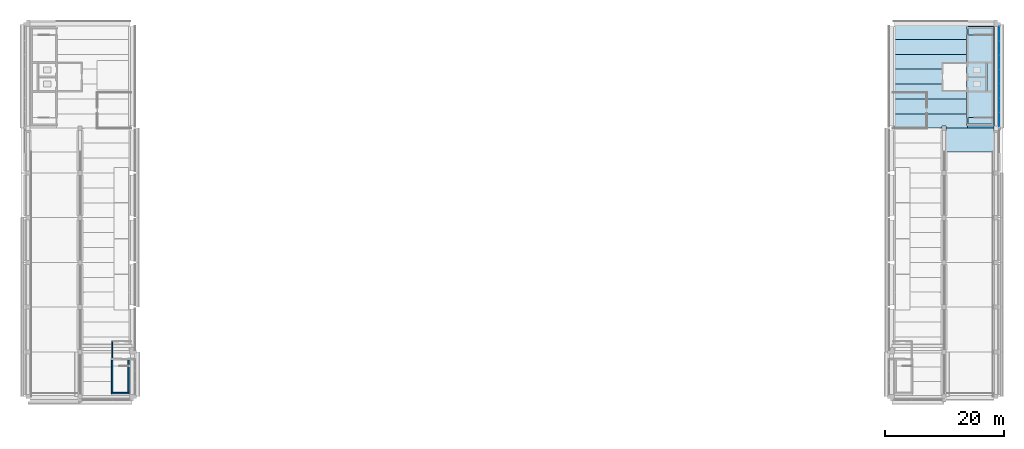
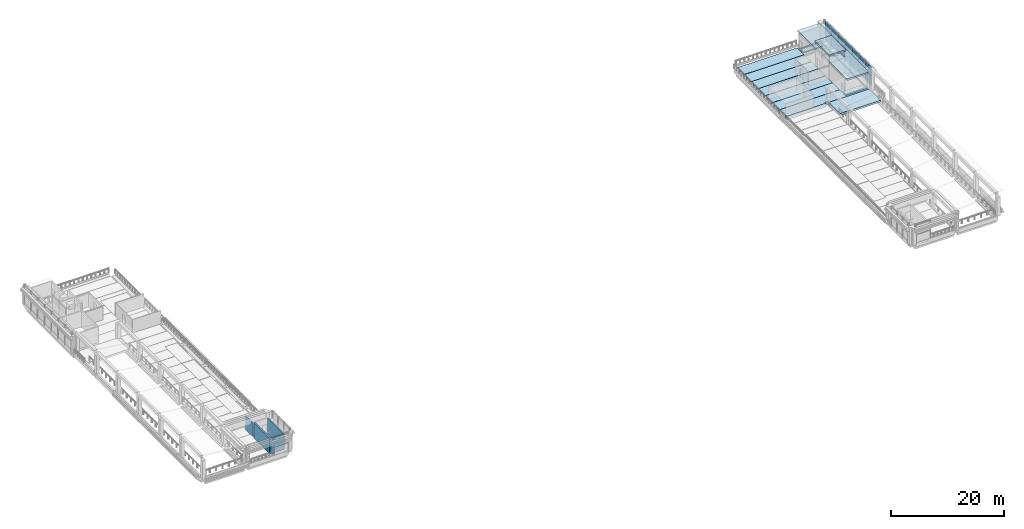
# One storey, part 8 of 17: 14 plates, 13 slabs, 4 walls, 1 element without a shape of its own.
"""IFC4 building model written with IfcOpenShell, lengths in metres."""

from ifc_helpers import new_model, si_unit, direction, frame, frame_2d, origin, origin_2d, place, context, subcontext, project, spatial, polyline, rectangle, outline, extrude, material, layer, layer_set, material_profile, profile_set, type_object, element, aggregate, save


model = new_model("IFC4")

# Units and contexts
model_context = context("Model", 3, precision=1e-05, world=origin(), true_north=direction((0.0, 1.0)))
body_context = subcontext(model_context, "Body", "Model", "MODEL_VIEW")
ifc_project = project(units=[si_unit("LENGTHUNIT", "METRE"), si_unit("AREAUNIT", "SQUARE_METRE"), si_unit("VOLUMEUNIT", "CUBIC_METRE"), si_unit("PLANEANGLEUNIT", "RADIAN"), si_unit("MASSUNIT", "GRAM", prefix="KILO")], contexts=[model_context])

# Site, building, storey
site_placement = place(None, origin())
site = spatial("IfcSite", under=ifc_project, at=site_placement, CompositionType="ELEMENT")
building_placement = place(site_placement, origin())
building = spatial("IfcBuilding", under=site, at=building_placement, Name="Cour d'Honneur Mobility Palace", CompositionType="ELEMENT")
storey_placement = place(building_placement, frame((0.0, 0.0, 34.10009765625)))
storey = spatial("IfcBuildingStorey", under=building, at=storey_placement, Name="L09", CompositionType="ELEMENT", Elevation=34.10009765625)

# Slabs
ifc_material_1 = material(Name="Concrete C50", Category="concrete")
ifc_layer_1 = layer(ifc_material_1, 0.25)
ifc_layer_set_1 = layer_set([ifc_layer_1], Name="Concrete C50")
slab_type_1 = type_object("IfcSlabType", Name="Cast-in-place Slab 250", PredefinedType="FLOOR", material=ifc_layer_set_1)
slab_1_placement = place(storey_placement, frame((0.0, 0.0, -0.25)))
element("IfcSlab", 1, at=slab_1_placement, inside=storey, type_object=slab_type_1, Name="Cast-in-place slab S1 L09 core", PredefinedType="FLOOR", context=body_context, shape_type="SweptSolid", body=[
    extrude(outline(polyline([(161.949951171875, 62.050048828125), (162.050048828125, 62.050048828125), (162.050048828125, 45.35009765625), (161.949951171875, 45.35009765625), (161.949951171875, 45.0), (157.5, 45.0), (157.5, 45.449951171875), (161.85009765625, 45.449951171875), (161.85009765625, 61.949951171875), (157.5, 61.949951171875), (157.5, 62.125), (161.949951171875, 62.125), (161.949951171875, 62.050048828125)])), origin(), (0.0, 0.0, 1.0), 0.25),
])
slab_2_placement = place(storey_placement, frame((0.0, 0.0, -0.25)))
element("IfcSlab", 2, at=slab_2_placement, inside=storey, type_object=slab_type_1, Name="Cast-in-place slab S1 L09 core", PredefinedType="FLOOR", context=body_context, shape_type="SweptSolid", body=[
    extrude(outline(polyline([(157.625, 46.77490234375), (161.60009765625, 46.77490234375), (161.60009765625, 45.699951171875), (157.625, 45.699951171875), (157.625, 46.77490234375)])), origin(), (0.0, 0.0, 1.0), 0.25),
])
slab_3_placement = place(storey_placement, frame((0.0, 0.0, -0.25)))
element("IfcSlab", 3, at=slab_3_placement, inside=storey, type_object=slab_type_1, Name="Cast-in-place slab S1 L09 core", PredefinedType="FLOOR", context=body_context, shape_type="SweptSolid", body=[
    extrude(outline(polyline([(161.60009765625, 60.625), (157.625, 60.625), (157.625, 61.699951171875), (161.60009765625, 61.699951171875), (161.60009765625, 60.625)])), origin(), (0.0, 0.0, 1.0), 0.25),
])
ifc_material_2 = material(Name="Concrete C50", Category="concrete")
ifc_layer_2 = layer(ifc_material_2, 0.39990234375)
ifc_layer_set_2 = layer_set([ifc_layer_2], Name="Concrete C50")
slab_type_2 = type_object("IfcSlabType", Name="Cast-in-place Slab 400", PredefinedType="LANDING", material=ifc_layer_set_2)
slab_4_placement = place(storey_placement, frame((0.0, 0.0, -0.400146484375)))
element("IfcSlab", 4, at=slab_4_placement, inside=storey, type_object=slab_type_2, Name="Cast-in-place slab S3 L09 landing", PredefinedType="LANDING", context=body_context, shape_type="SweptSolid", body=[
    extrude(outline(polyline([(162.10009765625, 44.64990234375), (162.10009765625, 41.0), (153.800048828125, 41.0), (153.800048828125, 44.64990234375), (153.949951171875, 44.64990234375), (153.949951171875, 45.0), (161.949951171875, 45.0), (161.949951171875, 44.64990234375), (162.10009765625, 44.64990234375)])), origin(), (0.0, 0.0, 1.0), 0.400146484375),
])
ifc_material_3 = material(Name="Concrete C50", Category="concrete")
ifc_layer_3 = layer(ifc_material_3, 0.800048828125)
ifc_layer_set_3 = layer_set([ifc_layer_3], Name="Concrete C50")
slab_type_3 = type_object("IfcSlabType", Name="Cast-in-place Slab 800", PredefinedType="FLOOR", material=ifc_layer_set_3)
slab_5_placement = place(storey_placement, frame((0.0, 0.0, -0.800048828125)))
element("IfcSlab", 5, at=slab_5_placement, inside=storey, type_object=slab_type_3, Name="Cast-in-place slab S2 L09 closure", PredefinedType="FLOOR", context=body_context, shape_type="SweptSolid", body=[
    extrude(outline(polyline([(153.949951171875, 45.35009765625), (153.25, 45.35009765625), (153.25, 45.0), (145.25, 45.0), (145.25, 45.35009765625), (145.14990234375, 45.35009765625), (145.14990234375, 47.39990234375), (157.375, 47.39990234375), (157.375, 45.449951171875), (157.5, 45.449951171875), (157.5, 45.0), (153.949951171875, 45.0), (153.949951171875, 45.35009765625)])), origin(), (0.0, 0.0, 1.0), 0.800048828125),
])

# Curtain wall, plates
ifc_material_4 = material(Name="Aluminium and glass", Category="aluminium")
ifc_layer_4 = layer(ifc_material_4, 0.10009765625)
ifc_layer_set_4 = layer_set([ifc_layer_4], Name="Aluminium and glass")
curtain_wall_type = type_object("IfcCurtainWallType", Name="Curtain wall run", PredefinedType="NOTDEFINED", material=ifc_layer_set_4)
curtain_wall_placement = place(storey_placement, origin())
curtain_wall = element("IfcCurtainWall", 6, at=curtain_wall_placement, inside=storey, type_object=curtain_wall_type, Name="Curtain wall CW-99", PredefinedType="NOTDEFINED")
ifc_material_5 = material(Name="Double glazing", Category="glass")
ifc_layer_5 = layer(ifc_material_5, 0.028076171875)
ifc_layer_set_5 = layer_set([ifc_layer_5], Name="Double glazing")
plate_type = type_object("IfcPlateType", Name="Curtain wall panel", PredefinedType="CURTAIN_PANEL", material=ifc_layer_set_5)
plate_1_placement = place(storey_placement, frame((162.85009765625, 46.514892578125, 0.06005859375), z_axis=(0.0, 0.0, 1.0), x_axis=(0.0, 1.0, 0.0)))
plate_1 = element("IfcPlate", 7, at=plate_1_placement, type_object=plate_type, Name="CW-99 panel 1.1", PredefinedType="CURTAIN_PANEL", context=body_context, shape_type="SweptSolid", body=[
    extrude(rectangle(XDim=2.31005859375, YDim=0.028076171875, at=origin_2d()), origin(), (0.0, 0.0, 1.0), 2.010009765625),
])
plate_2_placement = place(storey_placement, frame((162.85009765625, 46.514892578125, 2.1298828125), z_axis=(0.0, 0.0, 1.0), x_axis=(0.0, 1.0, 0.0)))
plate_2 = element("IfcPlate", 8, at=plate_2_placement, type_object=plate_type, Name="CW-99 panel 1.2", PredefinedType="CURTAIN_PANEL", context=body_context, shape_type="SweptSolid", body=[
    extrude(rectangle(XDim=2.31005859375, YDim=0.028076171875, at=origin_2d()), origin(), (0.0, 0.0, 1.0), 2.010009765625),
])
plate_3_placement = place(storey_placement, frame((162.85009765625, 48.89990234375, 0.06005859375), z_axis=(0.0, 0.0, 1.0), x_axis=(0.0, 1.0, 0.0)))
plate_3 = element("IfcPlate", 9, at=plate_3_placement, type_object=plate_type, Name="CW-99 panel 2.1", PredefinedType="CURTAIN_PANEL", context=body_context, shape_type="SweptSolid", body=[
    extrude(rectangle(XDim=2.340087890625, YDim=0.028076171875, at=origin_2d()), origin(), (0.0, 0.0, 1.0), 2.010009765625),
])
plate_4_placement = place(storey_placement, frame((162.85009765625, 48.89990234375, 2.1298828125), z_axis=(0.0, 0.0, 1.0), x_axis=(0.0, 1.0, 0.0)))
plate_4 = element("IfcPlate", 10, at=plate_4_placement, type_object=plate_type, Name="CW-99 panel 2.2", PredefinedType="CURTAIN_PANEL", context=body_context, shape_type="SweptSolid", body=[
    extrude(rectangle(XDim=2.340087890625, YDim=0.028076171875, at=origin_2d()), origin(), (0.0, 0.0, 1.0), 2.010009765625),
])
plate_5_placement = place(storey_placement, frame((162.85009765625, 51.300048828125, 0.06005859375), z_axis=(0.0, 0.0, 1.0), x_axis=(0.0, 1.0, 0.0)))
plate_5 = element("IfcPlate", 11, at=plate_5_placement, type_object=plate_type, Name="CW-99 panel 3.1", PredefinedType="CURTAIN_PANEL", context=body_context, shape_type="SweptSolid", body=[
    extrude(rectangle(XDim=2.340087890625, YDim=0.028076171875, at=origin_2d()), origin(), (0.0, 0.0, 1.0), 2.010009765625),
])
plate_6_placement = place(storey_placement, frame((162.85009765625, 51.300048828125, 2.1298828125), z_axis=(0.0, 0.0, 1.0), x_axis=(0.0, 1.0, 0.0)))
plate_6 = element("IfcPlate", 12, at=plate_6_placement, type_object=plate_type, Name="CW-99 panel 3.2", PredefinedType="CURTAIN_PANEL", context=body_context, shape_type="SweptSolid", body=[
    extrude(rectangle(XDim=2.340087890625, YDim=0.028076171875, at=origin_2d()), origin(), (0.0, 0.0, 1.0), 2.010009765625),
])
plate_7_placement = place(storey_placement, frame((162.85009765625, 53.699951171875, 0.06005859375), z_axis=(0.0, 0.0, 1.0), x_axis=(0.0, 1.0, 0.0)))
plate_7 = element("IfcPlate", 13, at=plate_7_placement, type_object=plate_type, Name="CW-99 panel 4.1", PredefinedType="CURTAIN_PANEL", context=body_context, shape_type="SweptSolid", body=[
    extrude(rectangle(XDim=2.340087890625, YDim=0.028076171875, at=origin_2d()), origin(), (0.0, 0.0, 1.0), 2.010009765625),
])
plate_8_placement = place(storey_placement, frame((162.85009765625, 53.699951171875, 2.1298828125), z_axis=(0.0, 0.0, 1.0), x_axis=(0.0, 1.0, 0.0)))
plate_8 = element("IfcPlate", 14, at=plate_8_placement, type_object=plate_type, Name="CW-99 panel 4.2", PredefinedType="CURTAIN_PANEL", context=body_context, shape_type="SweptSolid", body=[
    extrude(rectangle(XDim=2.340087890625, YDim=0.028076171875, at=origin_2d()), origin(), (0.0, 0.0, 1.0), 2.010009765625),
])
plate_9_placement = place(storey_placement, frame((162.85009765625, 56.10009765625, 0.06005859375), z_axis=(0.0, 0.0, 1.0), x_axis=(0.0, 1.0, 0.0)))
plate_9 = element("IfcPlate", 15, at=plate_9_placement, type_object=plate_type, Name="CW-99 panel 5.1", PredefinedType="CURTAIN_PANEL", context=body_context, shape_type="SweptSolid", body=[
    extrude(rectangle(XDim=2.340087890625, YDim=0.028076171875, at=origin_2d()), origin(), (0.0, 0.0, 1.0), 2.010009765625),
])
plate_10_placement = place(storey_placement, frame((162.85009765625, 56.10009765625, 2.1298828125), z_axis=(0.0, 0.0, 1.0), x_axis=(0.0, 1.0, 0.0)))
plate_10 = element("IfcPlate", 16, at=plate_10_placement, type_object=plate_type, Name="CW-99 panel 5.2", PredefinedType="CURTAIN_PANEL", context=body_context, shape_type="SweptSolid", body=[
    extrude(rectangle(XDim=2.340087890625, YDim=0.028076171875, at=origin_2d()), origin(), (0.0, 0.0, 1.0), 2.010009765625),
])
plate_11_placement = place(storey_placement, frame((162.85009765625, 58.5, 0.06005859375), z_axis=(0.0, 0.0, 1.0), x_axis=(0.0, 1.0, 0.0)))
plate_11 = element("IfcPlate", 17, at=plate_11_placement, type_object=plate_type, Name="CW-99 panel 6.1", PredefinedType="CURTAIN_PANEL", context=body_context, shape_type="SweptSolid", body=[
    extrude(rectangle(XDim=2.340087890625, YDim=0.028076171875, at=origin_2d()), origin(), (0.0, 0.0, 1.0), 2.010009765625),
])
plate_12_placement = place(storey_placement, frame((162.85009765625, 58.5, 2.1298828125), z_axis=(0.0, 0.0, 1.0), x_axis=(0.0, 1.0, 0.0)))
plate_12 = element("IfcPlate", 18, at=plate_12_placement, type_object=plate_type, Name="CW-99 panel 6.2", PredefinedType="CURTAIN_PANEL", context=body_context, shape_type="SweptSolid", body=[
    extrude(rectangle(XDim=2.340087890625, YDim=0.028076171875, at=origin_2d()), origin(), (0.0, 0.0, 1.0), 2.010009765625),
])
plate_13_placement = place(storey_placement, frame((162.85009765625, 60.885009765625, 0.06005859375), z_axis=(0.0, 0.0, 1.0), x_axis=(0.0, 1.0, 0.0)))
plate_13 = element("IfcPlate", 19, at=plate_13_placement, type_object=plate_type, Name="CW-99 panel 7.1", PredefinedType="CURTAIN_PANEL", context=body_context, shape_type="SweptSolid", body=[
    extrude(rectangle(XDim=2.31005859375, YDim=0.028076171875, at=origin_2d()), origin(), (0.0, 0.0, 1.0), 2.010009765625),
])
plate_14_placement = place(storey_placement, frame((162.85009765625, 60.885009765625, 2.1298828125), z_axis=(0.0, 0.0, 1.0), x_axis=(0.0, 1.0, 0.0)))
plate_14 = element("IfcPlate", 20, at=plate_14_placement, type_object=plate_type, Name="CW-99 panel 7.2", PredefinedType="CURTAIN_PANEL", context=body_context, shape_type="SweptSolid", body=[
    extrude(rectangle(XDim=2.31005859375, YDim=0.028076171875, at=origin_2d()), origin(), (0.0, 0.0, 1.0), 2.010009765625),
])
aggregate(curtain_wall, [plate_1, plate_2, plate_3, plate_4, plate_5, plate_6, plate_7, plate_8, plate_9, plate_10, plate_11, plate_12, plate_13, plate_14])

# Slabs
ifc_material_6 = material(Name="Concrete C45", Category="concrete")
ifc_material_profile = material_profile(ifc_material_6, outline(polyline([(-1.2451171875, 0.0), (1.2451171875, 0.0), (1.2451171875, -0.10009765625), (0.679931640625, -0.10009765625), (0.64990234375, -0.64990234375), (0.550048828125, -0.64990234375), (0.52001953125, -0.10009765625), (-0.52001953125, -0.10009765625), (-0.550048828125, -0.64990234375), (-0.64990234375, -0.64990234375), (-0.679931640625, -0.10009765625), (-1.2451171875, -0.10009765625), (-1.2451171875, 0.0)])), Name="DT 2490x650")
ifc_profile_set = profile_set([ifc_material_profile], Name="Concrete C45")
slab_type_4 = type_object("IfcSlabType", Name="DT 2490x650", PredefinedType="FLOOR", material=ifc_profile_set)
for number, where, z_axis, x_axis, name in (
    (21, (145.14990234375, 48.64990234375, 0.0), (1.0, 0.0, 0.0), (0.0, 1.0, 0.0), "Double tee DT-JE1 L09"),
    (22, (145.14990234375, 51.14990234375, 0.0), (1.0, 0.0, 0.0), (0.0, 1.0, 0.0), "Double tee DT-JE2 L09"),
    (23, (145.14990234375, 53.64990234375, 0.0), (1.0, 0.0, 0.0), (0.0, 1.0, 0.0), "Double tee DT-JE3 L09"),
    (24, (145.14990234375, 56.14990234375, 0.0), (1.0, 0.0, 0.0), (0.0, 1.0, 0.0), "Double tee DT-JE4 L09"),
    (25, (145.14990234375, 58.64990234375, 0.0), (1.0, 0.0, 0.0), (0.0, 1.0, 0.0), "Double tee DT-JE5 L09"),
):
    element("IfcSlab", number, at=place(storey_placement, frame(where, z_axis=z_axis, x_axis=x_axis)), inside=storey, type_object=slab_type_4, Name=name, PredefinedType="FLOOR", context=body_context, shape_type="SweptSolid", body=[
        extrude(outline(polyline([(-1.2451171875, 0.0), (1.2451171875, 0.0), (1.2451171875, -0.10009765625), (0.679931640625, -0.10009765625), (0.64990234375, -0.64990234375), (0.550048828125, -0.64990234375), (0.52001953125, -0.10009765625), (-0.52001953125, -0.10009765625), (-0.550048828125, -0.64990234375), (-0.64990234375, -0.64990234375), (-0.679931640625, -0.10009765625), (-1.2451171875, -0.10009765625), (-1.2451171875, 0.0)])), origin(), (0.0, 0.0, 1.0), 12.22509765625),
    ])
slab_6_placement = place(storey_placement, frame((145.25, 61.14990234375, 0.0), z_axis=(1.0, 0.0, 0.0), x_axis=(0.0, 1.0, 0.0)))
element("IfcSlab", 26, at=slab_6_placement, inside=storey, type_object=slab_type_4, Name="Double tee DT-JE6 L09", PredefinedType="FLOOR", context=body_context, shape_type="SweptSolid", body=[
    extrude(outline(polyline([(-1.2451171875, 0.0), (1.2451171875, 0.0), (1.2451171875, -0.10009765625), (0.679931640625, -0.10009765625), (0.64990234375, -0.64990234375), (0.550048828125, -0.64990234375), (0.52001953125, -0.10009765625), (-0.52001953125, -0.10009765625), (-0.550048828125, -0.64990234375), (-0.64990234375, -0.64990234375), (-0.679931640625, -0.10009765625), (-1.2451171875, -0.10009765625), (-1.2451171875, 0.0)])), origin(), (0.0, 0.0, 1.0), 12.125),
])
ifc_material_7 = material(Name="Concrete C50", Category="concrete")
ifc_layer_6 = layer(ifc_material_7, 0.35009765625)
ifc_layer_set_6 = layer_set([ifc_layer_6], Name="Concrete C50")
slab_type_5 = type_object("IfcSlabType", Name="Overrun Roof Slab 350", PredefinedType="ROOF", material=ifc_layer_set_6)
slab_7_placement = place(storey_placement, frame((0.0, 0.0, 4.949951171875)))
element("IfcSlab", 27, at=slab_7_placement, inside=storey, type_object=slab_type_5, Name="Lift overrun roof CE", PredefinedType="ROOF", context=body_context, shape_type="SweptSolid", body=[
    extrude(outline(polyline([(157.375, 51.074951171875), (157.375, 56.125), (160.77490234375, 56.125), (160.77490234375, 51.074951171875), (157.375, 51.074951171875)])), origin(), (0.0, 0.0, 1.0), 0.349853515625),
])
ifc_material_8 = material(Name="Concrete C50", Category="concrete")
ifc_layer_7 = layer(ifc_material_8, 0.35009765625)
ifc_layer_set_7 = layer_set([ifc_layer_7], Name="Concrete C50")
slab_type_6 = type_object("IfcSlabType", Name="Roof Slab 350", PredefinedType="ROOF", material=ifc_layer_set_7)
slab_8_placement = place(storey_placement, frame((0.0, 0.0, 3.349853515625)))
element("IfcSlab", 28, at=slab_8_placement, inside=storey, type_object=slab_type_6, Name="Pavilion roof slab JEP", PredefinedType="ROOF", context=body_context, shape_type="SweptSolid", body=[
    extrude(outline(polyline([(161.949951171875, 62.39990234375), (161.949951171875, 62.050048828125), (162.02490234375, 62.050048828125), (162.02490234375, 45.35009765625), (161.949951171875, 45.35009765625), (161.949951171875, 45.0), (157.5, 45.0), (157.5, 51.199951171875), (157.625, 51.199951171875), (157.625, 53.47509765625), (160.52490234375, 53.47509765625), (160.52490234375, 51.324951171875), (160.77490234375, 51.324951171875), (160.77490234375, 55.875), (160.52490234375, 55.875), (160.52490234375, 53.72509765625), (157.625, 53.72509765625), (157.625, 56.0), (157.5, 56.0), (157.5, 62.39990234375), (161.949951171875, 62.39990234375)])), origin(), (0.0, 0.0, 1.0), 0.35009765625),
])

# Walls
ifc_material_9 = material(Name="Gypsum plasterboard")
ifc_layer_8 = layer(ifc_material_9, 0.199951171875)
ifc_layer_set_8 = layer_set([ifc_layer_8], Name="Gypsum plasterboard")
wall_type_1 = type_object("IfcWallType", Name="Partition 200 rated EI 120", PredefinedType="PARTITIONING", material=ifc_layer_set_8)
wall_1_placement = place(storey_placement, frame((14.10009765625, 9.199951171875, 0.0), z_axis=(0.0, 0.0, 1.0), x_axis=(0.0, -1.0, 0.0)))
element("IfcWall", 29, at=wall_1_placement, inside=storey, type_object=wall_type_1, Name="Partition 004", PredefinedType="PARTITIONING", context=body_context, shape_type="SweptSolid", body=[
    extrude(rectangle(XDim=2.724853515625, YDim=0.199951171875, at=frame_2d((1.3623046875, 0.0))), origin(), (0.0, 0.0, 1.0), 2.8798828125),
])
ifc_material_10 = material(Name="Concrete C50", Category="concrete")
ifc_layer_9 = layer(ifc_material_10, 0.25)
ifc_layer_set_9 = layer_set([ifc_layer_9], Name="Concrete C50")
wall_type_2 = type_object("IfcWallType", Name="Stair wall 250", PredefinedType="SHEAR", material=ifc_layer_set_9)
wall_2_placement = place(storey_placement, frame((13.97509765625, 0.574951171875, 0.0), z_axis=(0.0, 0.0, 1.0), x_axis=(1.0, 0.0, 0.0)))
element("IfcWall", 30, at=wall_2_placement, inside=storey, type_object=wall_type_2, Name="Stair wall WS-RW1 L09", PredefinedType="SHEAR", context=body_context, shape_type="SweptSolid", body=[
    extrude(rectangle(XDim=2.974853515625, YDim=0.25, at=frame_2d((1.4873046875, 0.0))), origin(), (0.0, 0.0, 1.0), 3.349853515625),
])
for number, where, z_axis, x_axis, name in (
    (31, (14.10009765625, 0.699951171875, 0.0), (0.0, 0.0, 1.0), (0.0, 1.0, 0.0), "Stair wall WS-RW3 L09"),
    (32, (16.824951171875, 0.699951171875, 0.0), (0.0, 0.0, 1.0), (0.0, 1.0, 0.0), "Stair wall WS-RW4 L09"),
):
    element("IfcWall", number, at=place(storey_placement, frame(where, z_axis=z_axis, x_axis=x_axis)), inside=storey, type_object=wall_type_2, Name=name, PredefinedType="SHEAR", context=body_context, shape_type="SweptSolid", body=[
        extrude(rectangle(XDim=5.47509765625, YDim=0.25, at=frame_2d((2.737548828125, 0.0))), origin(), (0.0, 0.0, 1.0), 3.349853515625),
    ])

save(model, "model.ifc")
